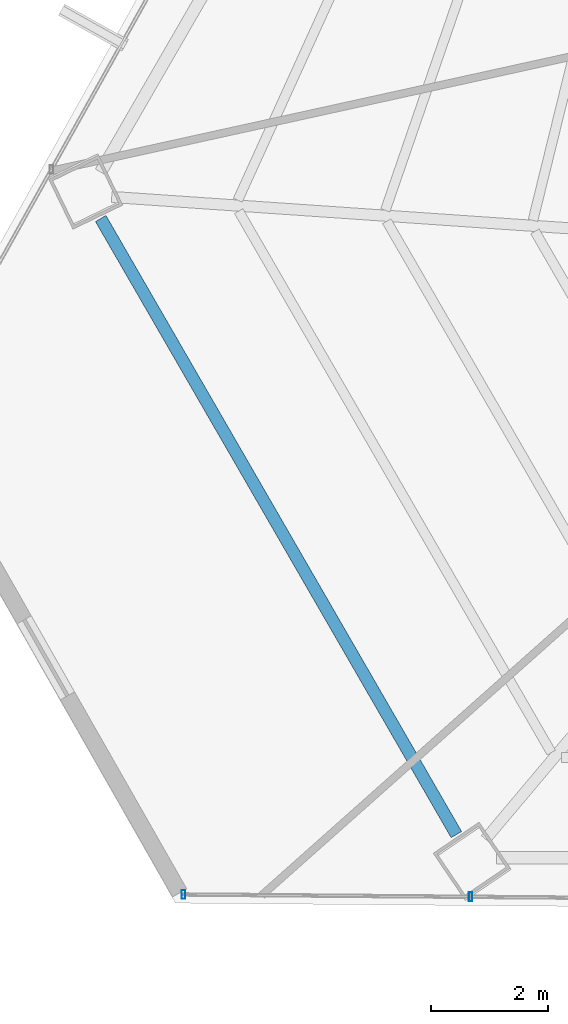
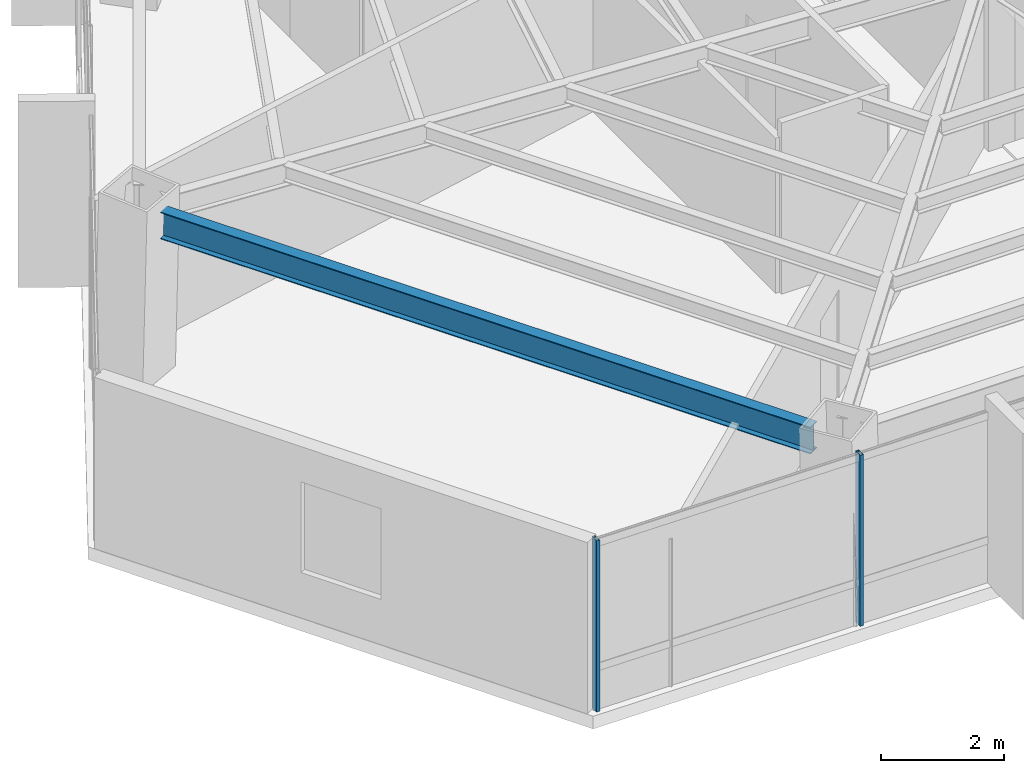
# One storey, part 2 of 39: 2 members, 1 beam, 1 element without a shape of its own.
"""IFC4 building model written with IfcOpenShell, lengths in metres."""

from ifc_helpers import new_model, si_unit, direction, frame, origin, origin_2d, place, context, subcontext, project, spatial, hollow_rectangle, i_section, extrude, source, transform, mapped, material, material_profile, profile_set, type_object, type_shapes, element, aggregate, save


model = new_model("IFC4")

# Units and contexts
model_context = context("Model", 3, precision=1e-05, world=origin(), true_north=direction((0.0, 1.0)))
body_context = subcontext(model_context, "Body", "Model", "MODEL_VIEW")
ifc_project = project(units=[si_unit("LENGTHUNIT", "METRE"), si_unit("AREAUNIT", "SQUARE_METRE"), si_unit("VOLUMEUNIT", "CUBIC_METRE"), si_unit("PLANEANGLEUNIT", "RADIAN"), si_unit("MASSUNIT", "GRAM", prefix="KILO")], contexts=[model_context])

# Site, building, storey
site_placement = place(None, origin())
site = spatial("IfcSite", under=ifc_project, at=site_placement, CompositionType="ELEMENT")
building_placement = place(site_placement, origin())
building = spatial("IfcBuilding", under=site, at=building_placement, Name="Caelisora Broadcast Tower", CompositionType="ELEMENT")
storey_placement = place(building_placement, frame((0.0, 0.0, 139.10009765625)))
storey = spatial("IfcBuildingStorey", under=building, at=storey_placement, Name="L36", CompositionType="ELEMENT", Elevation=139.10009765625)

# Beam
ifc_material_1 = material(Name="Steel Grade 350 (AS/NZS 3679.1)", Category="steel")
ifc_material_profile_1 = material_profile(ifc_material_1, i_section(OverallWidth=0.208984375, OverallDepth=0.532958984375, WebThickness=0.01025390625, FlangeThickness=0.015625, at=origin_2d()), Name="Steel Grade 350 (AS/NZS 3679.1)")
ifc_profile_set_1 = profile_set([ifc_material_profile_1], Name="Steel Grade 350 (AS/NZS 3679.1)")
beam_type = type_object("IfcBeamType", Name="PG05", PredefinedType="BEAM", material=ifc_profile_set_1)
shared_shape_1 = source(origin(), body_context, "Body", "SweptSolid", [
    extrude(i_section(OverallWidth=0.208984375, OverallDepth=0.532958984375, WebThickness=0.01025390625, FlangeThickness=0.015625, at=origin_2d()), origin(), (0.0, 0.0, 1.0), 12.20166015625),
])
type_shapes(beam_type, [shared_shape_1])
beam_placement = place(storey_placement, frame((15.486083984375, 18.046142578125, 3.13330078125), z_axis=(0.50000188557, -0.866024315148, 0.0), x_axis=(0.866024315148, 0.50000188557, 0.0)))
element("IfcBeam", 1, at=beam_placement, inside=storey, type_object=beam_type, Name="L36 beam PG05", PredefinedType="BEAM", context=body_context, shape_type="MappedRepresentation", body=[
    mapped(shared_shape_1, transform((0.0, 0.0, 0.0), scale=1.0)),
])

# Curtain wall, members
ifc_material_2 = material(Name="Unitised Aluminium and Low-E Glass Curtain Wall", Category="glass")
curtain_wall_type = type_object("IfcCurtainWallType", Name="CW-Z3", PredefinedType="NOTDEFINED", material=ifc_material_2)
curtain_wall_placement = place(storey_placement, origin())
curtain_wall = element("IfcCurtainWall", 2, at=curtain_wall_placement, inside=storey, type_object=curtain_wall_type, Name="L36 curtain wall CW-Z3", PredefinedType="NOTDEFINED")
ifc_material_3 = material(Name="Aluminium 6063-T6 Anodised Terracotta Bronze", Category="aluminium")
ifc_material_profile_2 = material_profile(ifc_material_3, hollow_rectangle(XDim=0.06005859375, YDim=0.14990234375, WallThickness=0.00341796875, at=origin_2d()), Name="Aluminium 6063-T6 Anodised Terracotta Bronze")
ifc_profile_set_2 = profile_set([ifc_material_profile_2], Name="Aluminium 6063-T6 Anodised Terracotta Bronze")
member_type = type_object("IfcMemberType", Name="CWM-03", PredefinedType="MULLION", material=ifc_profile_set_2)
shared_shape_2 = source(origin(), body_context, "Body", "SweptSolid", [
    extrude(hollow_rectangle(XDim=0.06005859375, YDim=0.14990234375, WallThickness=0.00341796875, at=origin_2d()), origin(), (0.0, 0.0, 1.0), 3.39990234375),
])
type_shapes(member_type, [shared_shape_2])
member_1_placement = place(storey_placement, frame((21.832763671875, 6.412353515625, 0.0), z_axis=(0.0, 0.0, 1.0), x_axis=(1.0, 0.0, 0.0)))
member_1 = element("IfcMember", 3, at=member_1_placement, type_object=member_type, Name="L36-CW-B07 mullion #2", PredefinedType="MULLION", context=body_context, shape_type="MappedRepresentation", body=[
    mapped(shared_shape_2, transform((0.0, 0.0, 0.0), scale=1.0)),
])
member_2_placement = place(storey_placement, frame((16.906005859375, 6.45263671875, 0.0), z_axis=(0.0, 0.0, 1.0), x_axis=(1.0, 0.0, 0.0)))
member_2 = element("IfcMember", 4, at=member_2_placement, type_object=member_type, Name="L36-CW-B07 mullion #3", PredefinedType="MULLION", context=body_context, shape_type="MappedRepresentation", body=[
    mapped(shared_shape_2, transform((0.0, 0.0, 0.0), scale=1.0)),
])
aggregate(curtain_wall, [member_1, member_2])

save(model, "model.ifc")
